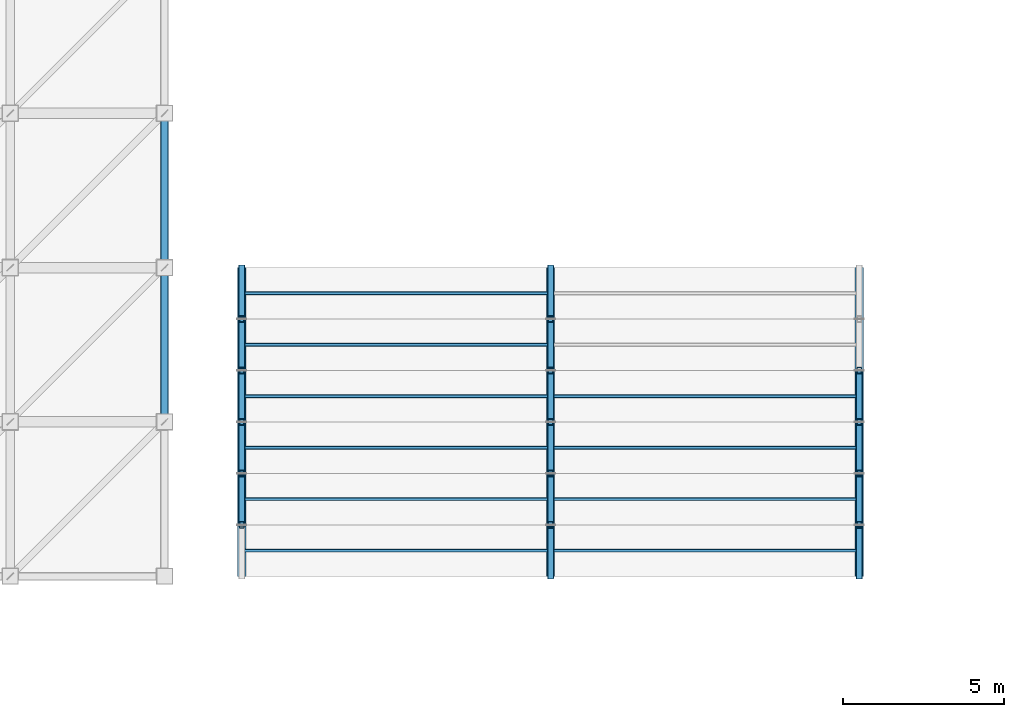
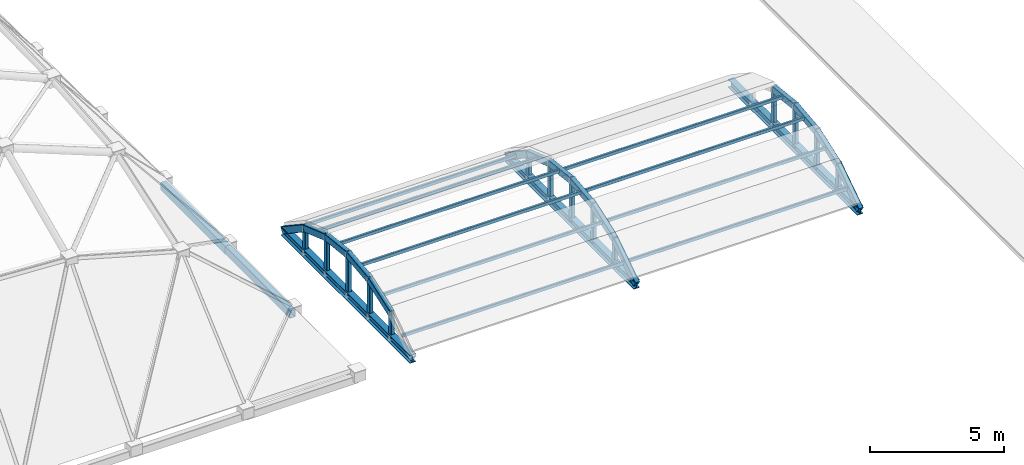
# One storey, part 4 of 70: 39 members, 5 beams.
"""IFC4 building model written with IfcOpenShell, lengths in metres."""

from ifc_helpers import new_model, si_unit, direction, frame, origin, origin_2d, place, context, subcontext, project, spatial, hollow_rectangle, i_section, extrude, material, material_profile, profile_set, type_object, element, save


model = new_model("IFC4")

# Units and contexts
model_context = context("Model", 3, precision=1e-05, world=origin(), true_north=direction((0.0, 1.0)))
body_context = subcontext(model_context, "Body", "Model", "MODEL_VIEW")
ifc_project = project(units=[si_unit("LENGTHUNIT", "METRE"), si_unit("AREAUNIT", "SQUARE_METRE"), si_unit("VOLUMEUNIT", "CUBIC_METRE"), si_unit("PLANEANGLEUNIT", "RADIAN"), si_unit("MASSUNIT", "GRAM", prefix="KILO")], contexts=[model_context])

# Site, building, storey
site_placement = place(None, origin())
site = spatial("IfcSite", under=ifc_project, at=site_placement, CompositionType="ELEMENT")
building_placement = place(site_placement, origin())
building = spatial("IfcBuilding", under=site, at=building_placement, Name="Mavantir Sound Aquarium", CompositionType="ELEMENT")
storey_placement = place(building_placement, frame((0.0, 0.0, 27.0)))
storey = spatial("IfcBuildingStorey", under=building, at=storey_placement, Name="RF", CompositionType="ELEMENT", Elevation=27.0)

# Beams
ifc_material_1 = material(Name="Hollow Structural Steel ASTM A500 GrC", Category="steel")
ifc_material_profile_1 = material_profile(ifc_material_1, hollow_rectangle(XDim=0.25, YDim=0.35009765625, WallThickness=0.012451171875, InnerFilletRadius=0.012451171875, OuterFilletRadius=0.02490234375, at=origin_2d()), Name="RHS 350X250X12.5")
ifc_profile_set_1 = profile_set([ifc_material_profile_1], Name="Hollow Structural Steel ASTM A500 GrC")
beam_type_1 = type_object("IfcBeamType", Name="BM-RB-RHS350-E", PredefinedType="BEAM", material=ifc_profile_set_1)
beam_1_placement = place(storey_placement, frame((33.60009765625, 45.60009765625, -7.419921875), z_axis=(0.0, 0.999991301888, 0.004170869113), x_axis=(-1.0, 0.0, 0.0)))
element("IfcBeam", 1, at=beam_1_placement, inside=storey, type_object=beam_type_1, Name="Gridshell perimeter ring beam RB-02 18", PredefinedType="BEAM", context=body_context, shape_type="SweptSolid", body=[
    extrude(hollow_rectangle(XDim=0.25, YDim=0.35009765625, WallThickness=0.012451171875, InnerFilletRadius=0.012451171875, OuterFilletRadius=0.02490234375, at=origin_2d()), origin(), (0.0, 0.0, 1.0), 4.7998046875),
])
beam_2_placement = place(storey_placement, frame((33.60009765625, 50.39990234375, -7.419921875), z_axis=(0.0, 0.999991302772, 0.004170656977), x_axis=(-1.0, 0.0, 0.0)))
element("IfcBeam", 2, at=beam_2_placement, inside=storey, type_object=beam_type_1, Name="Gridshell perimeter ring beam RB-02 20", PredefinedType="BEAM", context=body_context, shape_type="SweptSolid", body=[
    extrude(hollow_rectangle(XDim=0.25, YDim=0.35009765625, WallThickness=0.012451171875, InnerFilletRadius=0.012451171875, OuterFilletRadius=0.02490234375, at=origin_2d()), origin(), (0.0, 0.0, 1.0), 4.800048828125),
])
ifc_material_2 = material(Name="Structural Steel ASTM A992 Gr50", Category="steel")
ifc_material_profile_2 = material_profile(ifc_material_2, i_section(OverallWidth=0.257080078125, OverallDepth=0.363037109375, WebThickness=0.012939453125, FlangeThickness=0.021728515625, FilletRadius=0.014892578125, at=origin_2d()), Name="W360X122")
ifc_profile_set_2 = profile_set([ifc_material_profile_2], Name="Structural Steel ASTM A992 Gr50")
beam_type_2 = type_object("IfcBeamType", Name="BM-W360X122-E", PredefinedType="BEAM", material=ifc_profile_set_2)
for number, where, z_axis, x_axis, name in (
    (3, (36.0, 40.800048828125, -7.3798828125), (0.0, 1.0, 0.0), (-1.0, 0.0, 0.0), "V2 barrel vault tie girder 1"),
    (4, (55.199951171875, 40.800048828125, -7.3798828125), (0.0, 1.0, 0.0), (-1.0, 0.0, 0.0), "V2 barrel vault tie girder 25"),
):
    element("IfcBeam", number, at=place(storey_placement, frame(where, z_axis=z_axis, x_axis=x_axis)), inside=storey, type_object=beam_type_2, Name=name, PredefinedType="BEAM", context=body_context, shape_type="SweptSolid", body=[
        extrude(i_section(OverallWidth=0.257080078125, OverallDepth=0.363037109375, WebThickness=0.012939453125, FlangeThickness=0.021728515625, FilletRadius=0.014892578125, at=origin_2d()), origin(), (0.0, 0.0, 1.0), 9.599853515625),
    ])
ifc_material_profile_3 = material_profile(ifc_material_2, i_section(OverallWidth=0.257080078125, OverallDepth=0.363037109375, WebThickness=0.012939453125, FlangeThickness=0.021728515625, FilletRadius=0.014892578125, at=origin_2d()), Name="W360X122")
ifc_profile_set_3 = profile_set([ifc_material_profile_3], Name="Structural Steel ASTM A992 Gr50")
beam_type_3 = type_object("IfcBeamType", Name="BM-W360X122-I", PredefinedType="BEAM", material=ifc_profile_set_3)
beam_3_placement = place(storey_placement, frame((45.60009765625, 40.800048828125, -7.3798828125), z_axis=(0.0, 1.0, 0.0), x_axis=(-1.0, 0.0, 0.0)))
element("IfcBeam", 5, at=beam_3_placement, inside=storey, type_object=beam_type_3, Name="V2 barrel vault tie girder 13", PredefinedType="BEAM", context=body_context, shape_type="SweptSolid", body=[
    extrude(i_section(OverallWidth=0.257080078125, OverallDepth=0.363037109375, WebThickness=0.012939453125, FlangeThickness=0.021728515625, FilletRadius=0.014892578125, at=origin_2d()), origin(), (0.0, 0.0, 1.0), 9.599853515625),
])

# Members
ifc_material_profile_4 = material_profile(ifc_material_1, hollow_rectangle(XDim=0.199951171875, YDim=0.300048828125, WallThickness=0.012451171875, InnerFilletRadius=0.012451171875, OuterFilletRadius=0.02490234375, at=origin_2d()), Name="RHS 300X200X12.5")
ifc_profile_set_4 = profile_set([ifc_material_profile_4], Name="Hollow Structural Steel ASTM A500 GrC")
member_type_1 = type_object("IfcMemberType", Name="MEM-AR-RHS300", PredefinedType="CHORD", material=ifc_profile_set_4)
member_1_placement = place(storey_placement, frame((36.0, 42.39990234375, -6.288818359375), z_axis=(0.0, 0.943629176442, 0.331004497504), x_axis=(-1.0, 0.0, 0.0)))
element("IfcMember", 6, at=member_1_placement, inside=storey, type_object=member_type_1, Name="V2 barrel vault arch rib 3", PredefinedType="CHORD", context=body_context, shape_type="SweptSolid", body=[
    extrude(hollow_rectangle(XDim=0.199951171875, YDim=0.300048828125, WallThickness=0.012451171875, InnerFilletRadius=0.012451171875, OuterFilletRadius=0.02490234375, at=origin_2d()), origin(), (0.0, 0.0, 1.0), 1.69580078125),
])
member_2_placement = place(storey_placement, frame((36.0, 44.0, -5.7275390625), z_axis=(0.0, 0.993904060897, 0.110248436416), x_axis=(-1.0, 0.0, 0.0)))
element("IfcMember", 7, at=member_2_placement, inside=storey, type_object=member_type_1, Name="V2 barrel vault arch rib 5", PredefinedType="CHORD", context=body_context, shape_type="SweptSolid", body=[
    extrude(hollow_rectangle(XDim=0.199951171875, YDim=0.300048828125, WallThickness=0.012451171875, InnerFilletRadius=0.012451171875, OuterFilletRadius=0.02490234375, at=origin_2d()), origin(), (0.0, 0.0, 1.0), 1.60986328125),
])
member_3_placement = place(storey_placement, frame((36.0, 45.60009765625, -5.550048828125), z_axis=(0.0, 0.993902217236, -0.110265055994), x_axis=(-1.0, 0.0, 0.0)))
element("IfcMember", 8, at=member_3_placement, inside=storey, type_object=member_type_1, Name="V2 barrel vault arch rib 7", PredefinedType="CHORD", context=body_context, shape_type="SweptSolid", body=[
    extrude(hollow_rectangle(XDim=0.199951171875, YDim=0.300048828125, WallThickness=0.012451171875, InnerFilletRadius=0.012451171875, OuterFilletRadius=0.02490234375, at=origin_2d()), origin(), (0.0, 0.0, 1.0), 1.609619140625),
])
member_4_placement = place(storey_placement, frame((36.0, 47.199951171875, -5.7275390625), z_axis=(0.0, 0.943629176442, -0.331004497504), x_axis=(-1.0, 0.0, 0.0)))
element("IfcMember", 9, at=member_4_placement, inside=storey, type_object=member_type_1, Name="V2 barrel vault arch rib 9", PredefinedType="CHORD", context=body_context, shape_type="SweptSolid", body=[
    extrude(hollow_rectangle(XDim=0.199951171875, YDim=0.300048828125, WallThickness=0.012451171875, InnerFilletRadius=0.012451171875, OuterFilletRadius=0.02490234375, at=origin_2d()), origin(), (0.0, 0.0, 1.0), 1.69580078125),
])
for number, where, z_axis, x_axis, name in (
    (10, (36.0, 48.800048828125, -6.288818359375), (0.0, 0.833319769335, -0.552791246345), (-1.0, 0.0, 0.0), "V2 barrel vault arch rib 11"),
    (11, (45.60009765625, 40.800048828125, -7.35009765625), (0.0, 0.833319769335, 0.552791246345), (-1.0, 0.0, 0.0), "V2 barrel vault arch rib 14"),
):
    element("IfcMember", number, at=place(storey_placement, frame(where, z_axis=z_axis, x_axis=x_axis)), inside=storey, type_object=member_type_1, Name=name, PredefinedType="CHORD", context=body_context, shape_type="SweptSolid", body=[
        extrude(hollow_rectangle(XDim=0.199951171875, YDim=0.300048828125, WallThickness=0.012451171875, InnerFilletRadius=0.012451171875, OuterFilletRadius=0.02490234375, at=origin_2d()), origin(), (0.0, 0.0, 1.0), 1.919921875),
    ])
member_5_placement = place(storey_placement, frame((45.60009765625, 42.39990234375, -6.288818359375), z_axis=(0.0, 0.943629176442, 0.331004497504), x_axis=(-1.0, 0.0, 0.0)))
element("IfcMember", 12, at=member_5_placement, inside=storey, type_object=member_type_1, Name="V2 barrel vault arch rib 15", PredefinedType="CHORD", context=body_context, shape_type="SweptSolid", body=[
    extrude(hollow_rectangle(XDim=0.199951171875, YDim=0.300048828125, WallThickness=0.012451171875, InnerFilletRadius=0.012451171875, OuterFilletRadius=0.02490234375, at=origin_2d()), origin(), (0.0, 0.0, 1.0), 1.69580078125),
])
member_6_placement = place(storey_placement, frame((45.60009765625, 44.0, -5.7275390625), z_axis=(0.0, 0.993904060897, 0.110248436416), x_axis=(-1.0, 0.0, 0.0)))
element("IfcMember", 13, at=member_6_placement, inside=storey, type_object=member_type_1, Name="V2 barrel vault arch rib 17", PredefinedType="CHORD", context=body_context, shape_type="SweptSolid", body=[
    extrude(hollow_rectangle(XDim=0.199951171875, YDim=0.300048828125, WallThickness=0.012451171875, InnerFilletRadius=0.012451171875, OuterFilletRadius=0.02490234375, at=origin_2d()), origin(), (0.0, 0.0, 1.0), 1.60986328125),
])
member_7_placement = place(storey_placement, frame((45.60009765625, 45.60009765625, -5.550048828125), z_axis=(0.0, 0.993902217236, -0.110265055994), x_axis=(-1.0, 0.0, 0.0)))
element("IfcMember", 14, at=member_7_placement, inside=storey, type_object=member_type_1, Name="V2 barrel vault arch rib 19", PredefinedType="CHORD", context=body_context, shape_type="SweptSolid", body=[
    extrude(hollow_rectangle(XDim=0.199951171875, YDim=0.300048828125, WallThickness=0.012451171875, InnerFilletRadius=0.012451171875, OuterFilletRadius=0.02490234375, at=origin_2d()), origin(), (0.0, 0.0, 1.0), 1.609619140625),
])
member_8_placement = place(storey_placement, frame((45.60009765625, 47.199951171875, -5.7275390625), z_axis=(0.0, 0.943629176442, -0.331004497504), x_axis=(-1.0, 0.0, 0.0)))
element("IfcMember", 15, at=member_8_placement, inside=storey, type_object=member_type_1, Name="V2 barrel vault arch rib 21", PredefinedType="CHORD", context=body_context, shape_type="SweptSolid", body=[
    extrude(hollow_rectangle(XDim=0.199951171875, YDim=0.300048828125, WallThickness=0.012451171875, InnerFilletRadius=0.012451171875, OuterFilletRadius=0.02490234375, at=origin_2d()), origin(), (0.0, 0.0, 1.0), 1.69580078125),
])
for number, where, z_axis, x_axis, name in (
    (16, (45.60009765625, 48.800048828125, -6.288818359375), (0.0, 0.833319769335, -0.552791246345), (-1.0, 0.0, 0.0), "V2 barrel vault arch rib 23"),
    (17, (55.199951171875, 40.800048828125, -7.35009765625), (0.0, 0.833319769335, 0.552791246345), (-1.0, 0.0, 0.0), "V2 barrel vault arch rib 26"),
):
    element("IfcMember", number, at=place(storey_placement, frame(where, z_axis=z_axis, x_axis=x_axis)), inside=storey, type_object=member_type_1, Name=name, PredefinedType="CHORD", context=body_context, shape_type="SweptSolid", body=[
        extrude(hollow_rectangle(XDim=0.199951171875, YDim=0.300048828125, WallThickness=0.012451171875, InnerFilletRadius=0.012451171875, OuterFilletRadius=0.02490234375, at=origin_2d()), origin(), (0.0, 0.0, 1.0), 1.919921875),
    ])
member_9_placement = place(storey_placement, frame((55.199951171875, 42.39990234375, -6.288818359375), z_axis=(0.0, 0.943629176442, 0.331004497504), x_axis=(-1.0, 0.0, 0.0)))
element("IfcMember", 18, at=member_9_placement, inside=storey, type_object=member_type_1, Name="V2 barrel vault arch rib 27", PredefinedType="CHORD", context=body_context, shape_type="SweptSolid", body=[
    extrude(hollow_rectangle(XDim=0.199951171875, YDim=0.300048828125, WallThickness=0.012451171875, InnerFilletRadius=0.012451171875, OuterFilletRadius=0.02490234375, at=origin_2d()), origin(), (0.0, 0.0, 1.0), 1.69580078125),
])
member_10_placement = place(storey_placement, frame((55.199951171875, 44.0, -5.7275390625), z_axis=(0.0, 0.993904060897, 0.110248436416), x_axis=(-1.0, 0.0, 0.0)))
element("IfcMember", 19, at=member_10_placement, inside=storey, type_object=member_type_1, Name="V2 barrel vault arch rib 29", PredefinedType="CHORD", context=body_context, shape_type="SweptSolid", body=[
    extrude(hollow_rectangle(XDim=0.199951171875, YDim=0.300048828125, WallThickness=0.012451171875, InnerFilletRadius=0.012451171875, OuterFilletRadius=0.02490234375, at=origin_2d()), origin(), (0.0, 0.0, 1.0), 1.60986328125),
])
member_11_placement = place(storey_placement, frame((55.199951171875, 45.60009765625, -5.550048828125), z_axis=(0.0, 0.993902217236, -0.110265055994), x_axis=(-1.0, 0.0, 0.0)))
element("IfcMember", 20, at=member_11_placement, inside=storey, type_object=member_type_1, Name="V2 barrel vault arch rib 31", PredefinedType="CHORD", context=body_context, shape_type="SweptSolid", body=[
    extrude(hollow_rectangle(XDim=0.199951171875, YDim=0.300048828125, WallThickness=0.012451171875, InnerFilletRadius=0.012451171875, OuterFilletRadius=0.02490234375, at=origin_2d()), origin(), (0.0, 0.0, 1.0), 1.609619140625),
])
ifc_material_profile_5 = material_profile(ifc_material_1, hollow_rectangle(XDim=0.10009765625, YDim=0.14990234375, WallThickness=0.008056640625, InnerFilletRadius=0.008056640625, OuterFilletRadius=0.01611328125, at=origin_2d()), Name="RHS 150X100X8")
ifc_profile_set_5 = profile_set([ifc_material_profile_5], Name="Hollow Structural Steel ASTM A500 GrC")
member_type_2 = type_object("IfcMemberType", Name="MEM-BR-RHS150", PredefinedType="PURLIN", material=ifc_profile_set_5)
for number, where, z_axis, x_axis, name in (
    (21, (36.0, 41.60009765625, -6.818603515625), (1.0, 0.0, 0.0), (0.0, 1.0, 0.0), "V2 barrel vault purlin 37"),
    (22, (36.0, 43.199951171875, -5.96630859375), (1.0, 0.0, 0.0), (0.0, 1.0, 0.0), "V2 barrel vault purlin 38"),
    (23, (36.0, 44.800048828125, -5.575439453125), (1.0, 0.0, 0.0), (0.0, 1.0, 0.0), "V2 barrel vault purlin 39"),
    (24, (36.0, 46.39990234375, -5.575439453125), (1.0, 0.0, 0.0), (0.0, 1.0, 0.0), "V2 barrel vault purlin 40"),
    (25, (36.0, 48.0, -5.96630859375), (1.0, 0.0, 0.0), (0.0, 1.0, 0.0), "V2 barrel vault purlin 41"),
    (26, (36.0, 49.60009765625, -6.818603515625), (1.0, 0.0, 0.0), (0.0, 1.0, 0.0), "V2 barrel vault purlin 42"),
):
    element("IfcMember", number, at=place(storey_placement, frame(where, z_axis=z_axis, x_axis=x_axis)), inside=storey, type_object=member_type_2, Name=name, PredefinedType="PURLIN", context=body_context, shape_type="SweptSolid", body=[
        extrude(hollow_rectangle(XDim=0.10009765625, YDim=0.14990234375, WallThickness=0.008056640625, InnerFilletRadius=0.008056640625, OuterFilletRadius=0.01611328125, at=origin_2d()), origin(), (0.0, 0.0, 1.0), 9.60009765625),
    ])
for number, where, z_axis, x_axis, name in (
    (27, (45.60009765625, 41.60009765625, -6.818603515625), (1.0, 0.0, 0.0), (0.0, 1.0, 0.0), "V2 barrel vault purlin 43"),
    (28, (45.60009765625, 43.199951171875, -5.96630859375), (1.0, 0.0, 0.0), (0.0, 1.0, 0.0), "V2 barrel vault purlin 44"),
    (29, (45.60009765625, 44.800048828125, -5.575439453125), (1.0, 0.0, 0.0), (0.0, 1.0, 0.0), "V2 barrel vault purlin 45"),
    (30, (45.60009765625, 46.39990234375, -5.575439453125), (1.0, 0.0, 0.0), (0.0, 1.0, 0.0), "V2 barrel vault purlin 46"),
):
    element("IfcMember", number, at=place(storey_placement, frame(where, z_axis=z_axis, x_axis=x_axis)), inside=storey, type_object=member_type_2, Name=name, PredefinedType="PURLIN", context=body_context, shape_type="SweptSolid", body=[
        extrude(hollow_rectangle(XDim=0.10009765625, YDim=0.14990234375, WallThickness=0.008056640625, InnerFilletRadius=0.008056640625, OuterFilletRadius=0.01611328125, at=origin_2d()), origin(), (0.0, 0.0, 1.0), 9.599853515625),
    ])
ifc_material_profile_6 = material_profile(ifc_material_1, hollow_rectangle(XDim=0.14990234375, YDim=0.199951171875, WallThickness=0.010009765625, InnerFilletRadius=0.010009765625, OuterFilletRadius=0.02001953125, at=origin_2d()), Name="RHS 200X150X10")
ifc_profile_set_6 = profile_set([ifc_material_profile_6], Name="Hollow Structural Steel ASTM A500 GrC")
member_type_3 = type_object("IfcMemberType", Name="MEM-BR-RHS200", PredefinedType="BRACE", material=ifc_profile_set_6)
member_12_placement = place(storey_placement, frame((36.0, 42.39990234375, -7.3798828125), z_axis=(0.0, 0.0, 1.0), x_axis=(1.0, 0.0, 0.0)))
element("IfcMember", 31, at=member_12_placement, inside=storey, type_object=member_type_3, Name="Steel truss web brace 4", PredefinedType="BRACE", context=body_context, shape_type="SweptSolid", body=[
    extrude(hollow_rectangle(XDim=0.14990234375, YDim=0.199951171875, WallThickness=0.010009765625, InnerFilletRadius=0.010009765625, OuterFilletRadius=0.02001953125, at=origin_2d()), origin(), (0.0, 0.0, 1.0), 1.091064453125),
])
member_13_placement = place(storey_placement, frame((36.0, 44.0, -7.3798828125), z_axis=(0.0, 0.0, 1.0), x_axis=(1.0, 0.0, 0.0)))
element("IfcMember", 32, at=member_13_placement, inside=storey, type_object=member_type_3, Name="Steel truss web brace 6", PredefinedType="BRACE", context=body_context, shape_type="SweptSolid", body=[
    extrude(hollow_rectangle(XDim=0.14990234375, YDim=0.199951171875, WallThickness=0.010009765625, InnerFilletRadius=0.010009765625, OuterFilletRadius=0.02001953125, at=origin_2d()), origin(), (0.0, 0.0, 1.0), 1.65234375),
])
member_14_placement = place(storey_placement, frame((36.0, 45.60009765625, -7.3798828125), z_axis=(0.0, 0.0, 1.0), x_axis=(1.0, 0.0, 0.0)))
element("IfcMember", 33, at=member_14_placement, inside=storey, type_object=member_type_3, Name="Steel truss web brace 8", PredefinedType="BRACE", context=body_context, shape_type="SweptSolid", body=[
    extrude(hollow_rectangle(XDim=0.14990234375, YDim=0.199951171875, WallThickness=0.010009765625, InnerFilletRadius=0.010009765625, OuterFilletRadius=0.02001953125, at=origin_2d()), origin(), (0.0, 0.0, 1.0), 1.829833984375),
])
member_15_placement = place(storey_placement, frame((36.0, 47.199951171875, -7.3798828125), z_axis=(0.0, 0.0, 1.0), x_axis=(1.0, 0.0, 0.0)))
element("IfcMember", 34, at=member_15_placement, inside=storey, type_object=member_type_3, Name="Steel truss web brace 10", PredefinedType="BRACE", context=body_context, shape_type="SweptSolid", body=[
    extrude(hollow_rectangle(XDim=0.14990234375, YDim=0.199951171875, WallThickness=0.010009765625, InnerFilletRadius=0.010009765625, OuterFilletRadius=0.02001953125, at=origin_2d()), origin(), (0.0, 0.0, 1.0), 1.65234375),
])
for number, where, z_axis, x_axis, name in (
    (35, (36.0, 48.800048828125, -7.3798828125), (0.0, 0.0, 1.0), (1.0, 0.0, 0.0), "Steel truss web brace 12"),
    (36, (45.60009765625, 42.39990234375, -7.3798828125), (0.0, 0.0, 1.0), (1.0, 0.0, 0.0), "Steel truss web brace 16"),
):
    element("IfcMember", number, at=place(storey_placement, frame(where, z_axis=z_axis, x_axis=x_axis)), inside=storey, type_object=member_type_3, Name=name, PredefinedType="BRACE", context=body_context, shape_type="SweptSolid", body=[
        extrude(hollow_rectangle(XDim=0.14990234375, YDim=0.199951171875, WallThickness=0.010009765625, InnerFilletRadius=0.010009765625, OuterFilletRadius=0.02001953125, at=origin_2d()), origin(), (0.0, 0.0, 1.0), 1.091064453125),
    ])
member_16_placement = place(storey_placement, frame((45.60009765625, 44.0, -7.3798828125), z_axis=(0.0, 0.0, 1.0), x_axis=(1.0, 0.0, 0.0)))
element("IfcMember", 37, at=member_16_placement, inside=storey, type_object=member_type_3, Name="Steel truss web brace 18", PredefinedType="BRACE", context=body_context, shape_type="SweptSolid", body=[
    extrude(hollow_rectangle(XDim=0.14990234375, YDim=0.199951171875, WallThickness=0.010009765625, InnerFilletRadius=0.010009765625, OuterFilletRadius=0.02001953125, at=origin_2d()), origin(), (0.0, 0.0, 1.0), 1.65234375),
])
member_17_placement = place(storey_placement, frame((45.60009765625, 45.60009765625, -7.3798828125), z_axis=(0.0, 0.0, 1.0), x_axis=(1.0, 0.0, 0.0)))
element("IfcMember", 38, at=member_17_placement, inside=storey, type_object=member_type_3, Name="Steel truss web brace 20", PredefinedType="BRACE", context=body_context, shape_type="SweptSolid", body=[
    extrude(hollow_rectangle(XDim=0.14990234375, YDim=0.199951171875, WallThickness=0.010009765625, InnerFilletRadius=0.010009765625, OuterFilletRadius=0.02001953125, at=origin_2d()), origin(), (0.0, 0.0, 1.0), 1.829833984375),
])
member_18_placement = place(storey_placement, frame((45.60009765625, 47.199951171875, -7.3798828125), z_axis=(0.0, 0.0, 1.0), x_axis=(1.0, 0.0, 0.0)))
element("IfcMember", 39, at=member_18_placement, inside=storey, type_object=member_type_3, Name="Steel truss web brace 22", PredefinedType="BRACE", context=body_context, shape_type="SweptSolid", body=[
    extrude(hollow_rectangle(XDim=0.14990234375, YDim=0.199951171875, WallThickness=0.010009765625, InnerFilletRadius=0.010009765625, OuterFilletRadius=0.02001953125, at=origin_2d()), origin(), (0.0, 0.0, 1.0), 1.65234375),
])
for number, where, z_axis, x_axis, name in (
    (40, (45.60009765625, 48.800048828125, -7.3798828125), (0.0, 0.0, 1.0), (1.0, 0.0, 0.0), "Steel truss web brace 24"),
    (41, (55.199951171875, 42.39990234375, -7.3798828125), (0.0, 0.0, 1.0), (1.0, 0.0, 0.0), "Steel truss web brace 28"),
):
    element("IfcMember", number, at=place(storey_placement, frame(where, z_axis=z_axis, x_axis=x_axis)), inside=storey, type_object=member_type_3, Name=name, PredefinedType="BRACE", context=body_context, shape_type="SweptSolid", body=[
        extrude(hollow_rectangle(XDim=0.14990234375, YDim=0.199951171875, WallThickness=0.010009765625, InnerFilletRadius=0.010009765625, OuterFilletRadius=0.02001953125, at=origin_2d()), origin(), (0.0, 0.0, 1.0), 1.091064453125),
    ])
member_19_placement = place(storey_placement, frame((55.199951171875, 44.0, -7.3798828125), z_axis=(0.0, 0.0, 1.0), x_axis=(1.0, 0.0, 0.0)))
element("IfcMember", 42, at=member_19_placement, inside=storey, type_object=member_type_3, Name="Steel truss web brace 30", PredefinedType="BRACE", context=body_context, shape_type="SweptSolid", body=[
    extrude(hollow_rectangle(XDim=0.14990234375, YDim=0.199951171875, WallThickness=0.010009765625, InnerFilletRadius=0.010009765625, OuterFilletRadius=0.02001953125, at=origin_2d()), origin(), (0.0, 0.0, 1.0), 1.65234375),
])
member_20_placement = place(storey_placement, frame((55.199951171875, 45.60009765625, -7.3798828125), z_axis=(0.0, 0.0, 1.0), x_axis=(1.0, 0.0, 0.0)))
element("IfcMember", 43, at=member_20_placement, inside=storey, type_object=member_type_3, Name="Steel truss web brace 32", PredefinedType="BRACE", context=body_context, shape_type="SweptSolid", body=[
    extrude(hollow_rectangle(XDim=0.14990234375, YDim=0.199951171875, WallThickness=0.010009765625, InnerFilletRadius=0.010009765625, OuterFilletRadius=0.02001953125, at=origin_2d()), origin(), (0.0, 0.0, 1.0), 1.829833984375),
])
member_21_placement = place(storey_placement, frame((55.199951171875, 47.199951171875, -7.3798828125), z_axis=(0.0, 0.0, 1.0), x_axis=(1.0, 0.0, 0.0)))
element("IfcMember", 44, at=member_21_placement, inside=storey, type_object=member_type_3, Name="Steel truss web brace 34", PredefinedType="BRACE", context=body_context, shape_type="SweptSolid", body=[
    extrude(hollow_rectangle(XDim=0.14990234375, YDim=0.199951171875, WallThickness=0.010009765625, InnerFilletRadius=0.010009765625, OuterFilletRadius=0.02001953125, at=origin_2d()), origin(), (0.0, 0.0, 1.0), 1.65234375),
])

save(model, "model.ifc")
